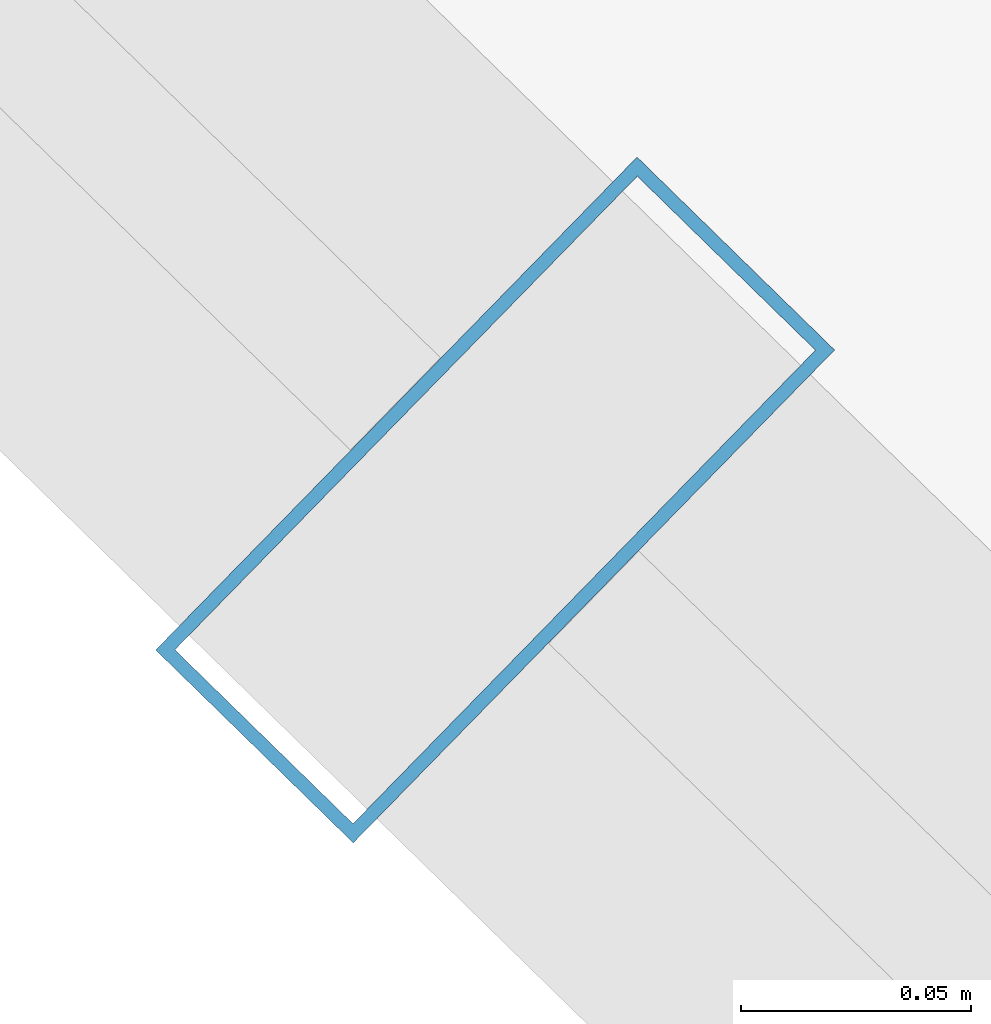
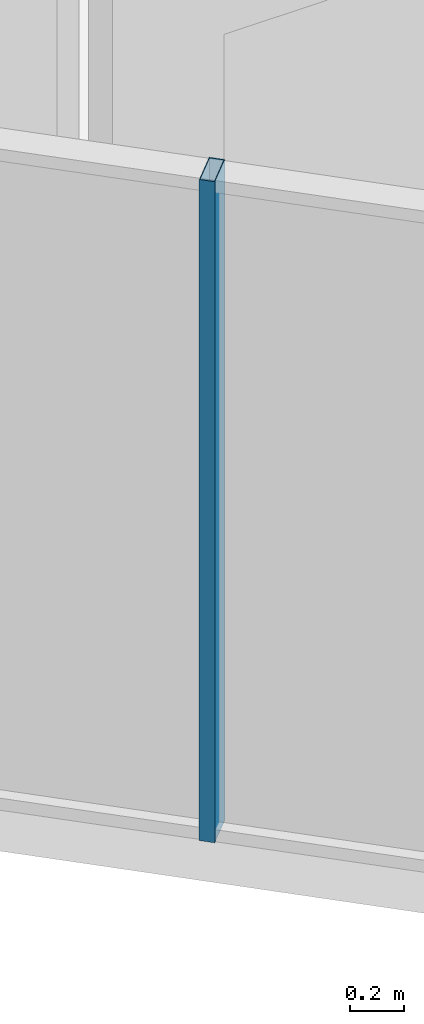
# One storey, part 2 of 29: 1 member, 1 element without a shape of its own.
"""IFC4 building model written with IfcOpenShell, lengths in metres."""

from ifc_helpers import new_model, si_unit, direction, frame, origin, origin_2d, place, context, subcontext, project, spatial, hollow_rectangle, extrude, source, transform, mapped, material, layer, layer_set, material_profile, profile_set, type_object, element, aggregate, save


model = new_model("IFC4")

# Units and contexts
model_context = context("Model", 3, precision=1e-05, world=origin(), true_north=direction((0.0, 1.0)))
body_context = subcontext(model_context, "Body", "Model", "MODEL_VIEW")
ifc_project = project(units=[si_unit("LENGTHUNIT", "METRE"), si_unit("AREAUNIT", "SQUARE_METRE"), si_unit("VOLUMEUNIT", "CUBIC_METRE"), si_unit("PLANEANGLEUNIT", "RADIAN"), si_unit("MASSUNIT", "GRAM", prefix="KILO")], contexts=[model_context])

# Site, building, storey
site_placement = place(None, origin())
site = spatial("IfcSite", under=ifc_project, at=site_placement, CompositionType="ELEMENT")
building_placement = place(site_placement, origin())
building = spatial("IfcBuilding", under=site, at=building_placement, Name="Veraguas Prism Commons", CompositionType="ELEMENT")
storey_placement = place(building_placement, frame((0.0, 0.0, 257.75)))
storey = spatial("IfcBuildingStorey", under=building, at=storey_placement, Name="L73", CompositionType="ELEMENT", Elevation=257.75)

# Curtain wall, member
ifc_material = material(Name="Anodised aluminium EN AW-6063 T6", Category="aluminium")
ifc_layer = layer(ifc_material, 0.14990234375, Name="Unitised Flush Curtain Wall Zone 4", Category="aluminium")
ifc_layer_set = layer_set([ifc_layer], Name="Anodised aluminium EN AW-6063 T6")
curtain_wall_type = type_object("IfcCurtainWallType", Name="Unitised Flush Curtain Wall Zone 4", PredefinedType="NOTDEFINED", material=ifc_layer_set)
curtain_wall_placement = place(storey_placement, origin())
curtain_wall = element("IfcCurtainWall", 1, at=curtain_wall_placement, inside=storey, type_object=curtain_wall_type, Name="Tower Facade Curtain Wall L73-F4", PredefinedType="NOTDEFINED")
ifc_material_profile = material_profile(ifc_material, hollow_rectangle(XDim=0.06005859375, YDim=0.14990234375, WallThickness=0.0029296875, at=origin_2d()), Name="AL60X150X3")
ifc_profile_set = profile_set([ifc_material_profile], Name="Anodised aluminium EN AW-6063 T6")
member_type = type_object("IfcMemberType", Name="Curtain Wall Mullion Upper AL 60x150x3", PredefinedType="MULLION", material=ifc_profile_set)
shared_shape = source(origin(), body_context, "Body", "SweptSolid", [
    extrude(hollow_rectangle(XDim=0.06005859375, YDim=0.14990234375, WallThickness=0.0029296875, at=origin_2d()), origin(), (0.0, 0.0, 1.0), 3.014892578125),
])
member_placement = place(storey_placement, frame((12.50390625, 12.227783203125, 0.0), z_axis=(0.0, 0.0, 1.0), x_axis=(0.715447677779, -0.698666315462, 0.0)))
member = element("IfcMember", 2, at=member_placement, type_object=member_type, Name="CW-Z4 Mullion 3", PredefinedType="MULLION", context=body_context, shape_type="MappedRepresentation", body=[
    mapped(shared_shape, transform((0.0, 0.0, 0.0), scale=1.0)),
])
aggregate(curtain_wall, [member])

save(model, "model.ifc")
